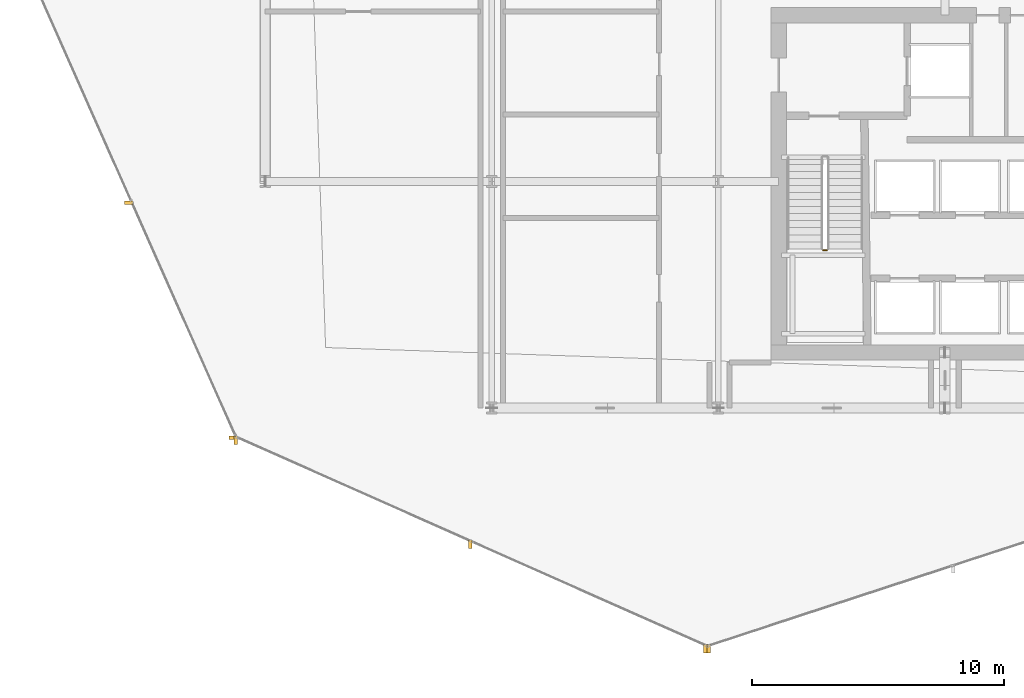
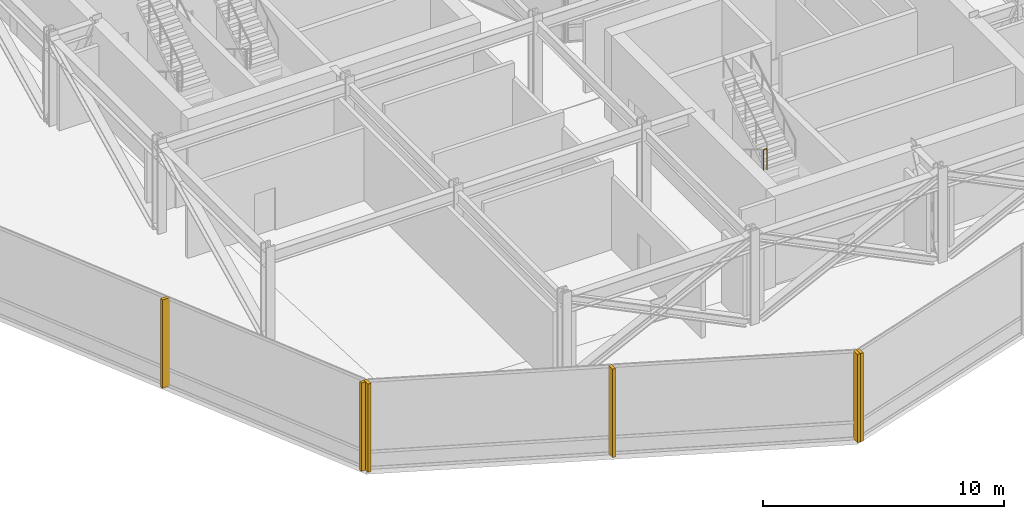
# One storey, part 37 of 42: 6 shading devices, 1 railing.
"""IFC4 building model written with IfcOpenShell, lengths in metres."""

from ifc_helpers import new_model, si_unit, direction, frame, origin, origin_2d, place, context, subcontext, project, spatial, rectangle, circle, extrude, material, type_object, element, save


model = new_model("IFC4")

# Units and contexts
model_context = context("Model", 3, precision=1e-05, world=origin(), true_north=direction((0.0, 1.0)))
body_context = subcontext(model_context, "Body", "Model", "MODEL_VIEW")
ifc_project = project(units=[si_unit("LENGTHUNIT", "METRE"), si_unit("AREAUNIT", "SQUARE_METRE"), si_unit("VOLUMEUNIT", "CUBIC_METRE"), si_unit("PLANEANGLEUNIT", "RADIAN"), si_unit("MASSUNIT", "GRAM", prefix="KILO")], contexts=[model_context])

# Site, building, storey
site_placement = place(None, origin())
site = spatial("IfcSite", under=ifc_project, at=site_placement, CompositionType="ELEMENT")
building_placement = place(site_placement, origin())
building = spatial("IfcBuilding", under=site, at=building_placement, Name="Solvaryn Broadcast Tower", CompositionType="ELEMENT")
storey_placement = place(building_placement, frame((0.0, 0.0, 100.199951171875)))
storey = spatial("IfcBuildingStorey", under=building, at=storey_placement, Name="L24", CompositionType="ELEMENT", Elevation=100.199951171875)

# Railing
ifc_material_1 = material(Name="Painted Steel Stair Well Guard", Category="steel")
railing_type = type_object("IfcRailingType", Name="RL-STAIR-GUARD", PredefinedType="BALUSTRADE", material=ifc_material_1)
railing_placement = place(storey_placement, frame((31.159912109375, 15.27001953125, 2.400146484375)))
element("IfcRailing", 1, at=railing_placement, inside=storey, type_object=railing_type, Name="L24 ST3 stair guard 2", PredefinedType="BALUSTRADE", context=body_context, shape_type="SweptSolid", body=[
    extrude(circle(Radius=0.02392578125, at=origin_2d()), frame((0.0, 0.0, 1.076171875), z_axis=(1.0, 0.0, 0.0), x_axis=(0.0, 1.0, 0.0)), (0.0, 0.0, 1.0), 0.150146484375),
    extrude(circle(Radius=0.02099609375, at=origin_2d()), origin(), (0.0, 0.0, 1.0), 1.052001953125),
    extrude(circle(Radius=0.02099609375, at=origin_2d()), frame((0.150146484375, 0.0, 0.0)), (0.0, 0.0, 1.0), 1.052001953125),
])

# Shading devices
ifc_material_2 = material(Name="Anodised Aluminium Acoustic Louvre", Category="aluminium")
shading_device_type = type_object("IfcShadingDeviceType", Name="LV-01 Plant Intake Louvre", PredefinedType="USERDEFINED", material=ifc_material_2)
for number, where, z_axis, x_axis, name in (
    (2, (3.58203125, 17.155029296875, 0.0), (0.0, 0.0, 1.0), (1.0, 0.0, 0.0), "L24 Plant Acoustic Louvre LV-CW-L24-DR2/M01"),
    (3, (7.725341796875, 7.825927734375, 0.0), (0.0, 0.0, 1.0), (1.0, 0.0, 0.0), "L24 Plant Acoustic Louvre LV-CW-L24-DR2/M02"),
):
    element("IfcShadingDevice", number, at=place(storey_placement, frame(where, z_axis=z_axis, x_axis=x_axis)), inside=storey, type_object=shading_device_type, Name=name, ObjectType="LOUVRE", PredefinedType="USERDEFINED", context=body_context, shape_type="SweptSolid", body=[
        extrude(rectangle(XDim=0.340087890625, YDim=0.139892578125, at=origin_2d()), origin(), (0.0, 0.0, 1.0), 4.469970703125),
    ])
for number, where, z_axis, x_axis, name in (
    (4, (7.825927734375, 7.725341796875, 0.0), (0.0, 0.0, 1.0), (1.0, 0.0, 0.0), "L24 Plant Acoustic Louvre LV-CW-L24-DR3/M00"),
    (5, (17.155029296875, 3.58203125, 0.0), (0.0, 0.0, 1.0), (1.0, 0.0, 0.0), "L24 Plant Acoustic Louvre LV-CW-L24-DR3/M01"),
    (6, (26.484130859375, -0.561279296875, 0.0), (0.0, 0.0, 1.0), (1.0, 0.0, 0.0), "L24 Plant Acoustic Louvre LV-CW-L24-DR3/M02"),
    (7, (26.6259765625, -0.568603515625, 0.0), (0.0, 0.0, 1.0), (1.0, 0.0, 0.0), "L24 Plant Acoustic Louvre LV-CW-L24-DR4/M00"),
):
    element("IfcShadingDevice", number, at=place(storey_placement, frame(where, z_axis=z_axis, x_axis=x_axis)), inside=storey, type_object=shading_device_type, Name=name, ObjectType="LOUVRE", PredefinedType="USERDEFINED", context=body_context, shape_type="SweptSolid", body=[
        extrude(rectangle(XDim=0.139892578125, YDim=0.340087890625, at=origin_2d()), origin(), (0.0, 0.0, 1.0), 4.469970703125),
    ])

save(model, "model.ifc")
